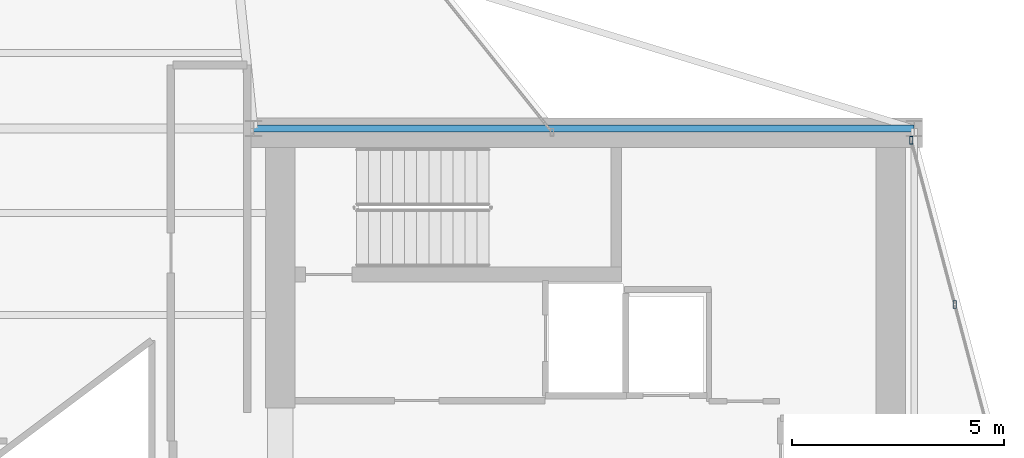
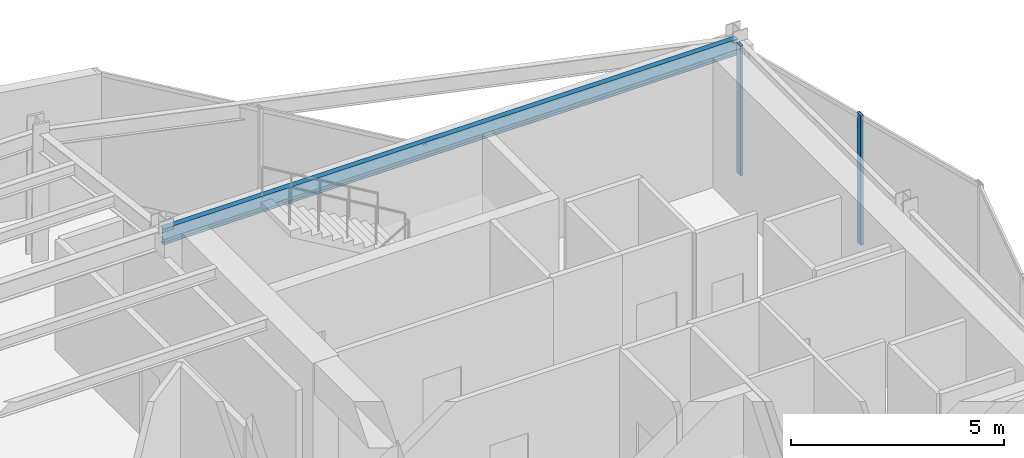
# One storey, part 16 of 23: 2 members, 1 beam, 1 element without a shape of its own.
"""IFC4 building model written with IfcOpenShell, lengths in metres."""

from ifc_helpers import new_model, si_unit, direction, frame, origin, origin_2d, place, context, subcontext, project, spatial, hollow_rectangle, i_section, extrude, material, layer, layer_set, material_profile, profile_set, type_object, element, aggregate, save


model = new_model("IFC4")

# Units and contexts
model_context = context("Model", 3, precision=1e-05, world=origin(), true_north=direction((0.0, 1.0)))
body_context = subcontext(model_context, "Body", "Model", "MODEL_VIEW")
ifc_project = project(units=[si_unit("LENGTHUNIT", "METRE"), si_unit("AREAUNIT", "SQUARE_METRE"), si_unit("VOLUMEUNIT", "CUBIC_METRE"), si_unit("PLANEANGLEUNIT", "RADIAN"), si_unit("MASSUNIT", "GRAM", prefix="KILO")], contexts=[model_context])

# Site, building, storey
site_placement = place(None, origin())
site = spatial("IfcSite", under=ifc_project, at=site_placement, CompositionType="ELEMENT")
building_placement = place(site_placement, origin())
building = spatial("IfcBuilding", under=site, at=building_placement, Name="Veymaron Broadcast Tower", CompositionType="ELEMENT")
storey_placement = place(building_placement, frame((0.0, 0.0, 252.60009765625)))
storey = spatial("IfcBuildingStorey", under=building, at=storey_placement, Name="L59", CompositionType="ELEMENT", Elevation=252.60009765625)

# Beam
ifc_material_1 = material(Name="Structural steel ASTM A992 Gr 50", Category="steel")
ifc_material_profile_1 = material_profile(ifc_material_1, i_section(OverallWidth=0.154052734375, OverallDepth=0.458984375, WebThickness=0.009033203125, FlangeThickness=0.015380859375, at=origin_2d()), Name="W460X68")
ifc_profile_set_1 = profile_set([ifc_material_profile_1], Name="Structural steel ASTM A992 Gr 50")
beam_type = type_object("IfcBeamType", Name="BM-SP2", PredefinedType="SPANDREL", material=ifc_profile_set_1)
beam_placement = place(storey_placement, frame((39.0, 32.0, 3.50048828125), z_axis=(1.0, 0.0, 0.0), x_axis=(0.0, 1.0, 0.0)))
element("IfcBeam", 1, at=beam_placement, inside=storey, type_object=beam_type, Name="L59 primary structural floor girder", PredefinedType="SPANDREL", context=body_context, shape_type="SweptSolid", body=[
    extrude(i_section(OverallWidth=0.154052734375, OverallDepth=0.458984375, WebThickness=0.009033203125, FlangeThickness=0.015380859375, at=origin_2d()), origin(), (0.0, 0.0, 1.0), 15.60009765625),
])

# Curtain wall, members
ifc_material_2 = material(Name="Anodised aluminium AA 6063-T6 and laminated low-E dark glass", Category="aluminium")
ifc_layer = layer(ifc_material_2, 0.179931640625)
ifc_layer_set = layer_set([ifc_layer], Name="Anodised aluminium AA 6063-T6 and laminated low-E dark glass")
curtain_wall_type = type_object("IfcCurtainWallType", Name="CW-SYS-05", PredefinedType="NOTDEFINED", material=ifc_layer_set)
curtain_wall_placement = place(storey_placement, origin())
curtain_wall = element("IfcCurtainWall", 2, at=curtain_wall_placement, inside=storey, type_object=curtain_wall_type, Name="L59 dark-glass curtain wall CW-L59-E3-1", PredefinedType="NOTDEFINED")
ifc_material_3 = material(Name="Anodised aluminium AA 6063-T6", Category="aluminium")
ifc_material_profile_2 = material_profile(ifc_material_3, hollow_rectangle(XDim=0.074951171875, YDim=0.179931640625, WallThickness=0.0048828125, at=origin_2d()), Name="AL180X75X5")
ifc_profile_set_2 = profile_set([ifc_material_profile_2], Name="Anodised aluminium AA 6063-T6")
member_type = type_object("IfcMemberType", Name="CW-MUL-02", PredefinedType="MULLION", material=ifc_profile_set_2)
member_1_placement = place(storey_placement, frame((55.55712890625, 27.843505859375, 0.0), z_axis=(0.0, 0.0, 1.0), x_axis=(1.0, 0.0, 0.0)))
member_1 = element("IfcMember", 3, at=member_1_placement, type_object=member_type, Name="CW-L59-E3-1 mullion 1", PredefinedType="MULLION", context=body_context, shape_type="SweptSolid", body=[
    extrude(hollow_rectangle(XDim=0.074951171875, YDim=0.179931640625, WallThickness=0.0048828125, at=origin_2d()), origin(), (0.0, 0.0, 1.0), 3.72998046875),
])
member_2_placement = place(storey_placement, frame((54.52880859375, 31.72265625, 0.0), z_axis=(0.0, 0.0, 1.0), x_axis=(1.0, 0.0, 0.0)))
member_2 = element("IfcMember", 4, at=member_2_placement, type_object=member_type, Name="CW-L59-E3-1 mullion 2", PredefinedType="MULLION", context=body_context, shape_type="SweptSolid", body=[
    extrude(hollow_rectangle(XDim=0.074951171875, YDim=0.179931640625, WallThickness=0.0048828125, at=origin_2d()), origin(), (0.0, 0.0, 1.0), 3.72998046875),
])
aggregate(curtain_wall, [member_1, member_2])

save(model, "model.ifc")
